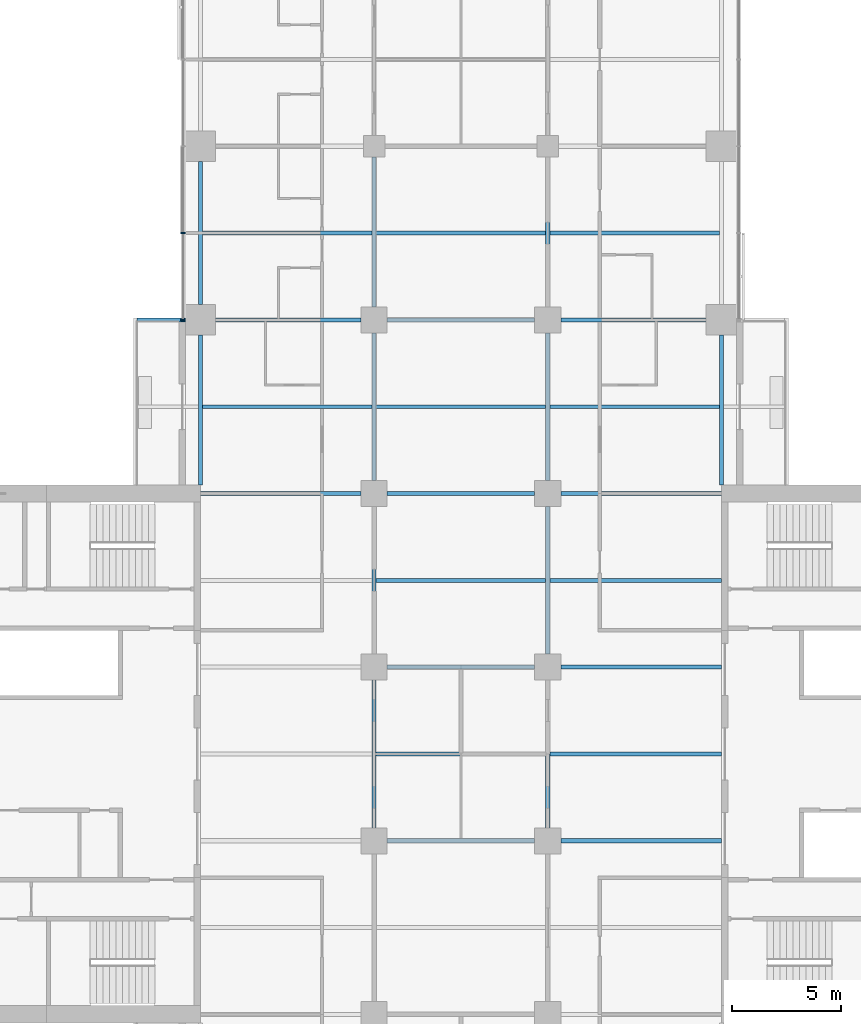
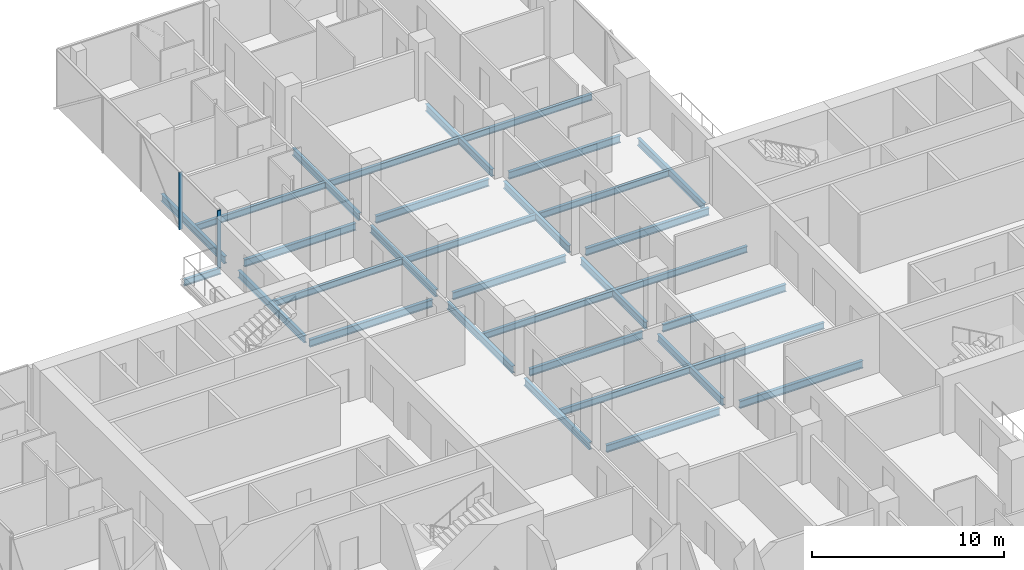
# One storey, part 9 of 27: 32 beams, 2 members, 1 element without a shape of its own.
"""IFC4 building model written with IfcOpenShell, lengths in metres."""

from ifc_helpers import new_model, si_unit, direction, frame, origin, origin_2d, place, context, subcontext, project, spatial, rectangle, i_section, extrude, material, material_profile, profile_set, type_object, element, aggregate, save


model = new_model("IFC4")

# Units and contexts
model_context = context("Model", 3, precision=1e-05, world=origin(), true_north=direction((0.0, 1.0)))
body_context = subcontext(model_context, "Body", "Model", "MODEL_VIEW")
ifc_project = project(units=[si_unit("LENGTHUNIT", "METRE"), si_unit("AREAUNIT", "SQUARE_METRE"), si_unit("VOLUMEUNIT", "CUBIC_METRE"), si_unit("PLANEANGLEUNIT", "RADIAN"), si_unit("MASSUNIT", "GRAM", prefix="KILO")], contexts=[model_context])

# Site, building, storey
site_placement = place(None, origin())
site = spatial("IfcSite", under=ifc_project, at=site_placement, CompositionType="ELEMENT")
building_placement = place(site_placement, origin())
building = spatial("IfcBuilding", under=site, at=building_placement, Name="Crosswind Convention Tower", CompositionType="ELEMENT")
storey_placement = place(building_placement, frame((0.0, 0.0, 86.800048828125)))
storey = spatial("IfcBuildingStorey", under=building, at=storey_placement, Name="L16", CompositionType="ELEMENT", Elevation=86.800048828125)

# Beams
ifc_material_1 = material(Name="Steel S355", Category="steel")
ifc_material_profile_1 = material_profile(ifc_material_1, i_section(OverallWidth=0.177734375, OverallDepth=0.406494140625, WebThickness=0.0078125, FlangeThickness=0.0126953125, FilletRadius=0.01025390625, at=origin_2d()), Name="UB 406x178x60")
ifc_profile_set_1 = profile_set([ifc_material_profile_1], Name="Steel S355")
beam_type_1 = type_object("IfcBeamType", Name="Balcony cantilever UB 406x178x60", PredefinedType="BEAM", material=ifc_profile_set_1)
beam_1_placement = place(storey_placement, frame((112.300048828125, 120.0, -0.483154296875), z_axis=(-1.0, 0.0, 0.0), x_axis=(0.0, -1.0, 0.0)))
element("IfcBeam", 1, at=beam_1_placement, inside=storey, type_object=beam_type_1, Name="B35 L16 balcony cantilever NW 5", PredefinedType="BEAM", context=body_context, shape_type="SweptSolid", body=[
    extrude(i_section(OverallWidth=0.177734375, OverallDepth=0.406494140625, WebThickness=0.0078125, FlangeThickness=0.0126953125, FilletRadius=0.01025390625, at=origin_2d()), origin(), (0.0, 0.0, 1.0), 2.214599609375),
])
ifc_material_profile_2 = material_profile(ifc_material_1, i_section(OverallWidth=0.1904296875, OverallDepth=0.457275390625, WebThickness=0.009033203125, FlangeThickness=0.014404296875, FilletRadius=0.01025390625, at=origin_2d()), Name="UB 457x191x75")
ifc_profile_set_2 = profile_set([ifc_material_profile_2], Name="Steel S355")
beam_type_2 = type_object("IfcBeamType", Name="Edge beam UB 457x191x75", PredefinedType="SPANDREL", material=ifc_profile_set_2)
beam_2_placement = place(storey_placement, frame((113.0, 112.39990234375, -0.508544921875), z_axis=(0.0, 1.0, 0.0), x_axis=(-1.0, 0.0, 0.0)))
element("IfcBeam", 2, at=beam_2_placement, inside=storey, type_object=beam_type_2, Name="B17 L16 edge beam 9", PredefinedType="SPANDREL", context=body_context, shape_type="SweptSolid", body=[
    extrude(i_section(OverallWidth=0.1904296875, OverallDepth=0.457275390625, WebThickness=0.009033203125, FlangeThickness=0.014404296875, FilletRadius=0.01025390625, at=origin_2d()), origin(), (0.0, 0.0, 1.0), 6.900146484375),
])
beam_3_placement = place(storey_placement, frame((113.0, 120.699951171875, -0.508544921875), z_axis=(0.0, 1.0, 0.0), x_axis=(-1.0, 0.0, 0.0)))
element("IfcBeam", 3, at=beam_3_placement, inside=storey, type_object=beam_type_2, Name="B17 L16 edge beam 10", PredefinedType="SPANDREL", context=body_context, shape_type="SweptSolid", body=[
    extrude(i_section(OverallWidth=0.1904296875, OverallDepth=0.457275390625, WebThickness=0.009033203125, FlangeThickness=0.014404296875, FilletRadius=0.01025390625, at=origin_2d()), origin(), (0.0, 0.0, 1.0), 6.60009765625),
])
beam_4_placement = place(storey_placement, frame((137.0, 112.39990234375, -0.508544921875), z_axis=(0.0, 1.0, 0.0), x_axis=(-1.0, 0.0, 0.0)))
element("IfcBeam", 4, at=beam_4_placement, inside=storey, type_object=beam_type_2, Name="B17 L16 edge beam 21", PredefinedType="SPANDREL", context=body_context, shape_type="SweptSolid", body=[
    extrude(i_section(OverallWidth=0.1904296875, OverallDepth=0.457275390625, WebThickness=0.009033203125, FlangeThickness=0.014404296875, FilletRadius=0.01025390625, at=origin_2d()), origin(), (0.0, 0.0, 1.0), 6.900146484375),
])
ifc_material_profile_3 = material_profile(ifc_material_1, i_section(OverallWidth=0.19140625, OverallDepth=0.460205078125, WebThickness=0.010009765625, FlangeThickness=0.01611328125, FilletRadius=0.01025390625, at=origin_2d()), Name="UB 457x191x82")
ifc_profile_set_3 = profile_set([ifc_material_profile_3], Name="Steel S355")
beam_type_3 = type_object("IfcBeamType", Name="Girder UB 457x191x82", PredefinedType="BEAM", material=ifc_profile_set_3)
beam_5_placement = place(storey_placement, frame((113.699951171875, 120.0, -0.51025390625), z_axis=(1.0, 0.0, 0.0), x_axis=(0.0, 1.0, 0.0)))
element("IfcBeam", 5, at=beam_5_placement, inside=storey, type_object=beam_type_3, Name="B3 L16 girder 3", PredefinedType="BEAM", context=body_context, shape_type="SweptSolid", body=[
    extrude(i_section(OverallWidth=0.19140625, OverallDepth=0.460205078125, WebThickness=0.010009765625, FlangeThickness=0.01611328125, FilletRadius=0.01025390625, at=origin_2d()), origin(), (0.0, 0.0, 1.0), 6.699951171875),
])
for number, where, z_axis, x_axis, name in (
    (6, (121.0, 96.60009765625, -0.51025390625), (0.0, 1.0, 0.0), (-1.0, 0.0, 0.0), "B3 L16 girder 9"),
    (7, (121.0, 104.60009765625, -0.51025390625), (0.0, 1.0, 0.0), (-1.0, 0.0, 0.0), "B3 L16 girder 10"),
    (8, (121.0, 112.60009765625, -0.51025390625), (0.0, 1.0, 0.0), (-1.0, 0.0, 0.0), "B3 L16 girder 11"),
):
    element("IfcBeam", number, at=place(storey_placement, frame(where, z_axis=z_axis, x_axis=x_axis)), inside=storey, type_object=beam_type_3, Name=name, PredefinedType="BEAM", context=body_context, shape_type="SweptSolid", body=[
        extrude(i_section(OverallWidth=0.19140625, OverallDepth=0.460205078125, WebThickness=0.010009765625, FlangeThickness=0.01611328125, FilletRadius=0.01025390625, at=origin_2d()), origin(), (0.0, 0.0, 1.0), 6.7998046875),
    ])
beam_6_placement = place(storey_placement, frame((121.0, 120.60009765625, -0.51025390625), z_axis=(0.0, 1.0, 0.0), x_axis=(-1.0, 0.0, 0.0)))
element("IfcBeam", 9, at=beam_6_placement, inside=storey, type_object=beam_type_3, Name="B3 L16 girder 12", PredefinedType="BEAM", context=body_context, shape_type="SweptSolid", body=[
    extrude(i_section(OverallWidth=0.19140625, OverallDepth=0.460205078125, WebThickness=0.010009765625, FlangeThickness=0.01611328125, FilletRadius=0.01025390625, at=origin_2d()), origin(), (0.0, 0.0, 1.0), 6.89990234375),
])
for number, where, z_axis, x_axis, name in (
    (10, (121.60009765625, 96.0, -0.51025390625), (1.0, 0.0, 0.0), (0.0, 1.0, 0.0), "B3 L16 girder 18"),
    (11, (121.60009765625, 104.0, -0.51025390625), (1.0, 0.0, 0.0), (0.0, 1.0, 0.0), "B3 L16 girder 19"),
    (12, (121.60009765625, 112.0, -0.51025390625), (1.0, 0.0, 0.0), (0.0, 1.0, 0.0), "B3 L16 girder 20"),
    (13, (121.60009765625, 120.0, -0.51025390625), (1.0, 0.0, 0.0), (0.0, 1.0, 0.0), "B3 L16 girder 21"),
    (14, (129.0, 96.60009765625, -0.51025390625), (0.0, 1.0, 0.0), (-1.0, 0.0, 0.0), "B3 L16 girder 26"),
    (15, (129.0, 104.60009765625, -0.51025390625), (0.0, 1.0, 0.0), (-1.0, 0.0, 0.0), "B3 L16 girder 27"),
    (16, (129.0, 112.60009765625, -0.51025390625), (0.0, 1.0, 0.0), (-1.0, 0.0, 0.0), "B3 L16 girder 28"),
):
    element("IfcBeam", number, at=place(storey_placement, frame(where, z_axis=z_axis, x_axis=x_axis)), inside=storey, type_object=beam_type_3, Name=name, PredefinedType="BEAM", context=body_context, shape_type="SweptSolid", body=[
        extrude(i_section(OverallWidth=0.19140625, OverallDepth=0.460205078125, WebThickness=0.010009765625, FlangeThickness=0.01611328125, FilletRadius=0.01025390625, at=origin_2d()), origin(), (0.0, 0.0, 1.0), 6.7998046875),
    ])
beam_7_placement = place(storey_placement, frame((129.0, 120.60009765625, -0.51025390625), z_axis=(0.0, 1.0, 0.0), x_axis=(-1.0, 0.0, 0.0)))
element("IfcBeam", 17, at=beam_7_placement, inside=storey, type_object=beam_type_3, Name="B3 L16 girder 29", PredefinedType="BEAM", context=body_context, shape_type="SweptSolid", body=[
    extrude(i_section(OverallWidth=0.19140625, OverallDepth=0.460205078125, WebThickness=0.010009765625, FlangeThickness=0.01611328125, FilletRadius=0.01025390625, at=origin_2d()), origin(), (0.0, 0.0, 1.0), 6.89990234375),
])
beam_8_placement = place(storey_placement, frame((129.60009765625, 120.0, -0.51025390625), z_axis=(1.0, 0.0, 0.0), x_axis=(0.0, 1.0, 0.0)))
element("IfcBeam", 18, at=beam_8_placement, inside=storey, type_object=beam_type_3, Name="B3 L16 girder 34", PredefinedType="BEAM", context=body_context, shape_type="SweptSolid", body=[
    extrude(i_section(OverallWidth=0.19140625, OverallDepth=0.460205078125, WebThickness=0.010009765625, FlangeThickness=0.01611328125, FilletRadius=0.01025390625, at=origin_2d()), origin(), (0.0, 0.0, 1.0), 6.699951171875),
])
ifc_material_profile_4 = material_profile(ifc_material_1, i_section(OverallWidth=0.19189453125, OverallDepth=0.463623046875, WebThickness=0.010498046875, FlangeThickness=0.017578125, FilletRadius=0.01025390625, at=origin_2d()), Name="UB 457x191x90")
ifc_profile_set_4 = profile_set([ifc_material_profile_4], Name="Steel S355")
beam_type_4 = type_object("IfcBeamType", Name="Girder at core wall UB 457x191x90", PredefinedType="BEAM", material=ifc_profile_set_4)
for number, where, z_axis, x_axis, name in (
    (19, (113.0, 112.0, -0.511962890625), (1.0, 0.0, 0.0), (0.0, 1.0, 0.0), "B24 L16 girder at core wall 6"),
    (20, (129.60009765625, 96.0, -0.511962890625), (1.0, 0.0, 0.0), (0.0, 1.0, 0.0), "B24 L16 girder at core wall 8"),
    (21, (129.60009765625, 104.0, -0.511962890625), (1.0, 0.0, 0.0), (0.0, 1.0, 0.0), "B24 L16 girder at core wall 9"),
    (22, (129.60009765625, 112.0, -0.511962890625), (1.0, 0.0, 0.0), (0.0, 1.0, 0.0), "B24 L16 girder at core wall 10"),
):
    element("IfcBeam", number, at=place(storey_placement, frame(where, z_axis=z_axis, x_axis=x_axis)), inside=storey, type_object=beam_type_4, Name=name, PredefinedType="BEAM", context=body_context, shape_type="SweptSolid", body=[
        extrude(i_section(OverallWidth=0.19189453125, OverallDepth=0.463623046875, WebThickness=0.010498046875, FlangeThickness=0.017578125, FilletRadius=0.01025390625, at=origin_2d()), origin(), (0.0, 0.0, 1.0), 7.39990234375),
    ])

# Curtain wall, members
ifc_material_2 = material(Name="Aluminium unitised curtain wall", Category="aluminium")
curtain_wall_type = type_object("IfcCurtainWallType", Name="HOTEL UNITISED WALL 200", PredefinedType="USERDEFINED", material=ifc_material_2)
curtain_wall_placement = place(storey_placement, origin())
curtain_wall = element("IfcCurtainWall", 23, at=curtain_wall_placement, inside=storey, type_object=curtain_wall_type, Name="CW2 L16 N-W 1", ObjectType="UNITISED", PredefinedType="USERDEFINED")
ifc_material_3 = material(Name="Aluminium mullion", Category="aluminium")
ifc_material_profile_5 = material_profile(ifc_material_3, rectangle(XDim=0.199951171875, YDim=0.06494140625, at=origin_2d()), Name="AL 200X65")
ifc_profile_set_5 = profile_set([ifc_material_profile_5], Name="Aluminium mullion")
member_type = type_object("IfcMemberType", Name="MULLION 65X200", PredefinedType="MULLION", material=ifc_profile_set_5)
member_1_placement = place(storey_placement, frame((112.199951171875, 124.0, -0.280029296875), z_axis=(0.0, 0.0, 1.0), x_axis=(-1.0, 0.0, 0.0)))
member_1 = element("IfcMember", 24, at=member_1_placement, type_object=member_type, Name="CW2 mullion 4", PredefinedType="MULLION", context=body_context, shape_type="SweptSolid", body=[
    extrude(rectangle(XDim=0.199951171875, YDim=0.06494140625, at=origin_2d()), origin(), (0.0, 0.0, 1.0), 3.635009765625),
])
member_2_placement = place(storey_placement, frame((112.199951171875, 120.0, -0.280029296875), z_axis=(0.0, 0.0, 1.0), x_axis=(-1.0, 0.0, 0.0)))
member_2 = element("IfcMember", 25, at=member_2_placement, type_object=member_type, Name="CW2 mullion 5", PredefinedType="MULLION", context=body_context, shape_type="SweptSolid", body=[
    extrude(rectangle(XDim=0.199951171875, YDim=0.06494140625, at=origin_2d()), origin(), (0.0, 0.0, 1.0), 3.635009765625),
])
aggregate(curtain_wall, [member_1, member_2])

# Beams
ifc_material_profile_6 = material_profile(ifc_material_1, i_section(OverallWidth=0.177734375, OverallDepth=0.406494140625, WebThickness=0.0078125, FlangeThickness=0.0126953125, FilletRadius=0.01025390625, at=origin_2d()), Name="UB 406x178x60")
ifc_profile_set_6 = profile_set([ifc_material_profile_6], Name="Steel S355")
beam_type_5 = type_object("IfcBeamType", Name="Secondary beam UB 406x178x60", PredefinedType="JOIST", material=ifc_profile_set_6)
for number, where, z_axis, x_axis, name in (
    (26, (113.09521484375, 116.0, -0.483154296875), (1.0, 0.0, 0.0), (0.0, 1.0, 0.0), "B10 L16 secondary beam 10"),
    (27, (113.09521484375, 124.0, -0.483154296875), (1.0, 0.0, 0.0), (0.0, 1.0, 0.0), "B10 L16 secondary beam 11"),
):
    element("IfcBeam", number, at=place(storey_placement, frame(where, z_axis=z_axis, x_axis=x_axis)), inside=storey, type_object=beam_type_5, Name=name, PredefinedType="JOIST", context=body_context, shape_type="SweptSolid", body=[
        extrude(i_section(OverallWidth=0.177734375, OverallDepth=0.406494140625, WebThickness=0.0078125, FlangeThickness=0.0126953125, FilletRadius=0.01025390625, at=origin_2d()), origin(), (0.0, 0.0, 1.0), 7.80908203125),
    ])
for number, where, z_axis, x_axis, name in (
    (28, (121.095703125, 100.0, -0.483154296875), (1.0, 0.0, 0.0), (0.0, 1.0, 0.0), "B10 L16 secondary beam 17"),
    (29, (121.095703125, 108.0, -0.483154296875), (1.0, 0.0, 0.0), (0.0, 1.0, 0.0), "B10 L16 secondary beam 18"),
    (30, (121.095703125, 116.0, -0.483154296875), (1.0, 0.0, 0.0), (0.0, 1.0, 0.0), "B10 L16 secondary beam 19"),
    (31, (121.095703125, 124.0, -0.483154296875), (1.0, 0.0, 0.0), (0.0, 1.0, 0.0), "B10 L16 secondary beam 20"),
):
    element("IfcBeam", number, at=place(storey_placement, frame(where, z_axis=z_axis, x_axis=x_axis)), inside=storey, type_object=beam_type_5, Name=name, PredefinedType="JOIST", context=body_context, shape_type="SweptSolid", body=[
        extrude(i_section(OverallWidth=0.177734375, OverallDepth=0.406494140625, WebThickness=0.0078125, FlangeThickness=0.0126953125, FilletRadius=0.01025390625, at=origin_2d()), origin(), (0.0, 0.0, 1.0), 7.80859375),
    ])
for number, where, z_axis, x_axis, name in (
    (32, (129.095703125, 100.0, -0.483154296875), (1.0, 0.0, 0.0), (0.0, 1.0, 0.0), "B10 L16 secondary beam 26"),
    (33, (129.095703125, 108.0, -0.483154296875), (1.0, 0.0, 0.0), (0.0, 1.0, 0.0), "B10 L16 secondary beam 27"),
):
    element("IfcBeam", number, at=place(storey_placement, frame(where, z_axis=z_axis, x_axis=x_axis)), inside=storey, type_object=beam_type_5, Name=name, PredefinedType="JOIST", context=body_context, shape_type="SweptSolid", body=[
        extrude(i_section(OverallWidth=0.177734375, OverallDepth=0.406494140625, WebThickness=0.0078125, FlangeThickness=0.0126953125, FilletRadius=0.01025390625, at=origin_2d()), origin(), (0.0, 0.0, 1.0), 7.904296875),
    ])
for number, where, z_axis, x_axis, name in (
    (34, (129.095703125, 116.0, -0.483154296875), (1.0, 0.0, 0.0), (0.0, 1.0, 0.0), "B10 L16 secondary beam 28"),
    (35, (129.095703125, 124.0, -0.483154296875), (1.0, 0.0, 0.0), (0.0, 1.0, 0.0), "B10 L16 secondary beam 29"),
):
    element("IfcBeam", number, at=place(storey_placement, frame(where, z_axis=z_axis, x_axis=x_axis)), inside=storey, type_object=beam_type_5, Name=name, PredefinedType="JOIST", context=body_context, shape_type="SweptSolid", body=[
        extrude(i_section(OverallWidth=0.177734375, OverallDepth=0.406494140625, WebThickness=0.0078125, FlangeThickness=0.0126953125, FilletRadius=0.01025390625, at=origin_2d()), origin(), (0.0, 0.0, 1.0), 7.80908203125),
    ])

save(model, "model.ifc")
